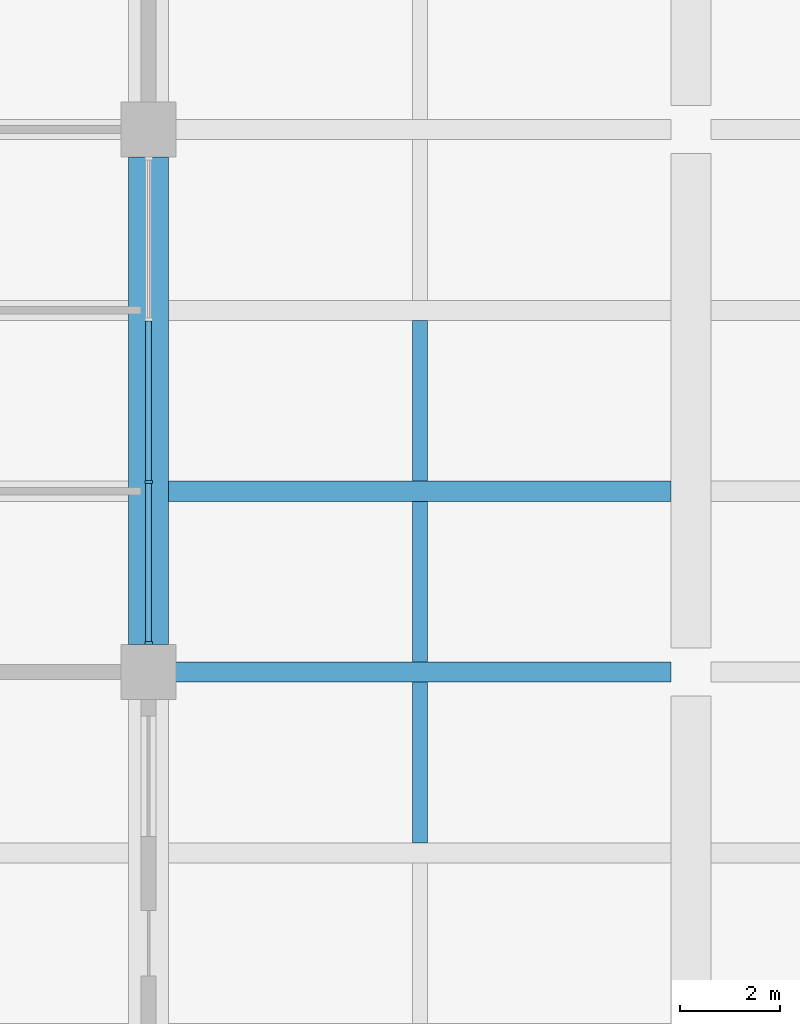
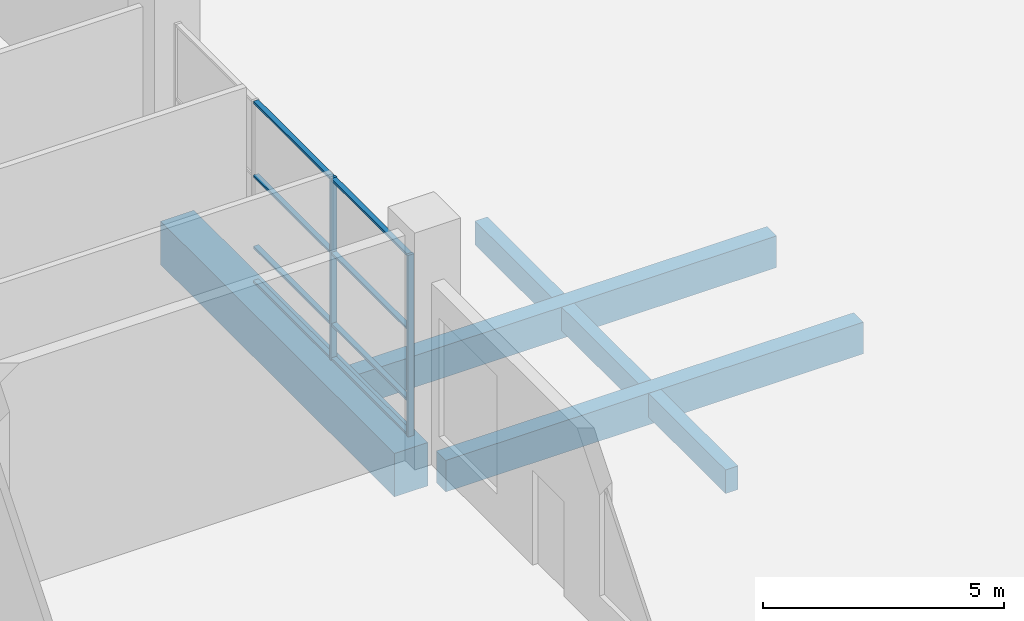
# One storey, part 25 of 71: 10 members, 6 beams, 1 element without a shape of its own.
"""IFC4 building model written with IfcOpenShell, lengths in metres."""

from ifc_helpers import new_model, si_unit, direction, frame, origin, origin_2d, place, context, subcontext, project, spatial, rectangle, extrude, material, layer, layer_set, material_profile, profile_set, type_object, element, aggregate, save


model = new_model("IFC4")

# Units and contexts
model_context = context("Model", 3, precision=1e-05, world=origin(), true_north=direction((0.0, 1.0)))
body_context = subcontext(model_context, "Body", "Model", "MODEL_VIEW")
ifc_project = project(units=[si_unit("LENGTHUNIT", "METRE"), si_unit("AREAUNIT", "SQUARE_METRE"), si_unit("VOLUMEUNIT", "CUBIC_METRE"), si_unit("PLANEANGLEUNIT", "RADIAN"), si_unit("MASSUNIT", "GRAM", prefix="KILO")], contexts=[model_context])

# Site, building, storey
site_placement = place(None, origin())
site = spatial("IfcSite", under=ifc_project, at=site_placement, CompositionType="ELEMENT")
building_placement = place(site_placement, origin())
building = spatial("IfcBuilding", under=site, at=building_placement, Name="Basin Gate Institute", CompositionType="ELEMENT")
storey_placement = place(building_placement, origin())
storey = spatial("IfcBuildingStorey", under=building, at=storey_placement, Name="L00", CompositionType="ELEMENT", Elevation=0.0)

# Beams
ifc_material_1 = material(Name="Concrete 40 MPa", Category="concrete")
ifc_material_profile_1 = material_profile(ifc_material_1, rectangle(XDim=0.39990234375, YDim=0.800048828125, at=origin_2d()), Name="Beam B2 400 x 800")
ifc_profile_set_1 = profile_set([ifc_material_profile_1], Name="Concrete 40 MPa")
beam_type_1 = type_object("IfcBeamType", Name="Beam B2 R180", PredefinedType="BEAM", material=ifc_profile_set_1)
for number, where, z_axis, x_axis, name in (
    (1, (79.60009765625, 78.300048828125, -0.699951171875), (1.0, 0.0, 0.0), (0.0, 1.0, 0.0), "BEAM/L00/CAN/W/13"),
    (2, (79.60009765625, 81.89990234375, -0.699951171875), (1.0, 0.0, 0.0), (0.0, 1.0, 0.0), "BEAM/L00/CAN/W/14"),
):
    element("IfcBeam", number, at=place(storey_placement, frame(where, z_axis=z_axis, x_axis=x_axis)), inside=storey, type_object=beam_type_1, material=ifc_profile_set_1, Name=name, PredefinedType="BEAM", context=body_context, shape_type="SweptSolid", body=[
        extrude(rectangle(XDim=0.39990234375, YDim=0.800048828125, at=origin_2d()), origin(), (0.0, 0.0, 1.0), 10.0),
    ])
ifc_material_2 = material(Name="Concrete 50 MPa", Category="concrete")
ifc_material_profile_2 = material_profile(ifc_material_2, rectangle(XDim=0.800048828125, YDim=1.10009765625, at=origin_2d()), Name="Girder G2 800 x 1100")
ifc_profile_set_2 = profile_set([ifc_material_profile_2], Name="Concrete 50 MPa")
beam_type_2 = type_object("IfcBeamType", Name="Girder G2 R180", PredefinedType="BEAM", material=ifc_profile_set_2)
beam_1_placement = place(storey_placement, frame((79.199951171875, 78.85009765625, -0.85009765625), z_axis=(0.0, 1.0, 0.0), x_axis=(-1.0, 0.0, 0.0)))
element("IfcBeam", 3, at=beam_1_placement, inside=storey, type_object=beam_type_2, material=ifc_profile_set_2, Name="GIR/L00/W6/5", PredefinedType="BEAM", context=body_context, shape_type="SweptSolid", body=[
    extrude(rectangle(XDim=0.800048828125, YDim=1.10009765625, at=origin_2d()), origin(), (0.0, 0.0, 1.0), 9.699951171875),
])

# Curtain wall, members
ifc_material_3 = material(Name="Fire-resistant glazing in steel-free frame", Category="steel")
ifc_layer = layer(ifc_material_3, 0.199951171875)
ifc_layer_set = layer_set([ifc_layer], Name="Fire-resistant glazing in steel-free frame")
curtain_wall_type = type_object("IfcCurtainWallType", Name="Atrium rated curtain wall CW3", PredefinedType="NOTDEFINED", material=ifc_layer_set)
curtain_wall_placement = place(storey_placement, origin())
curtain_wall = element("IfcCurtainWall", 4, at=curtain_wall_placement, inside=storey, type_object=curtain_wall_type, material=ifc_layer_set, Name="Atrium rated curtain wall W wing atrium bay 5 L00", PredefinedType="NOTDEFINED")
ifc_material_4 = material(Name="Aluminium", Category="aluminium")
ifc_material_profile_3 = material_profile(ifc_material_4, rectangle(XDim=0.14990234375, YDim=0.06005859375, at=origin_2d()), Name="Mullion MU3 150 x 60")
ifc_profile_set_3 = profile_set([ifc_material_profile_3], Name="Aluminium")
member_type_1 = type_object("IfcMemberType", Name="Mullion MU3", PredefinedType="MULLION", material=ifc_profile_set_3)
member_1_placement = place(storey_placement, frame((79.199951171875, 78.8798828125, 0.0), z_axis=(0.0, 0.0, 1.0), x_axis=(-1.0, 0.0, 0.0)))
member_1 = element("IfcMember", 5, at=member_1_placement, type_object=member_type_1, material=ifc_profile_set_3, Name="CW3 mullion 1", PredefinedType="MULLION", context=body_context, shape_type="SweptSolid", body=[
    extrude(rectangle(XDim=0.14990234375, YDim=0.06005859375, at=origin_2d()), origin(), (0.0, 0.0, 1.0), 4.60009765625),
])
member_2_placement = place(storey_placement, frame((79.199951171875, 82.083251953125, 0.0), z_axis=(0.0, 0.0, 1.0), x_axis=(-1.0, 0.0, 0.0)))
member_2 = element("IfcMember", 6, at=member_2_placement, type_object=member_type_1, material=ifc_profile_set_3, Name="CW3 mullion 2", PredefinedType="MULLION", context=body_context, shape_type="SweptSolid", body=[
    extrude(rectangle(XDim=0.14990234375, YDim=0.06005859375, at=origin_2d()), origin(), (0.0, 0.0, 1.0), 4.60009765625),
])

# Beams
ifc_material_5 = material(Name="Concrete 40 MPa", Category="concrete")
ifc_material_profile_4 = material_profile(ifc_material_5, rectangle(XDim=0.300048828125, YDim=0.60009765625, at=origin_2d()), Name="Rib R2 300 x 600")
ifc_profile_set_4 = profile_set([ifc_material_profile_4], Name="Concrete 40 MPa")
beam_type_3 = type_object("IfcBeamType", Name="Rib R2 R180", PredefinedType="JOIST", material=ifc_profile_set_4)
beam_2_placement = place(storey_placement, frame((84.60009765625, 74.89990234375, -0.60009765625), z_axis=(0.0, 1.0, 0.0), x_axis=(-1.0, 0.0, 0.0)))
element("IfcBeam", 7, at=beam_2_placement, inside=storey, type_object=beam_type_3, material=ifc_profile_set_4, Name="BEAM/L00/CAN/RIBW/12", PredefinedType="JOIST", context=body_context, shape_type="SweptSolid", body=[
    extrude(rectangle(XDim=0.300048828125, YDim=0.60009765625, at=origin_2d()), origin(), (0.0, 0.0, 1.0), 3.2001953125),
])
for number, where, z_axis, x_axis, name in (
    (8, (84.60009765625, 78.5, -0.60009765625), (0.0, 1.0, 0.0), (-1.0, 0.0, 0.0), "BEAM/L00/CAN/RIBW/13"),
    (9, (84.60009765625, 82.10009765625, -0.60009765625), (0.0, 1.0, 0.0), (-1.0, 0.0, 0.0), "BEAM/L00/CAN/RIBW/14"),
):
    element("IfcBeam", number, at=place(storey_placement, frame(where, z_axis=z_axis, x_axis=x_axis)), inside=storey, type_object=beam_type_3, material=ifc_profile_set_4, Name=name, PredefinedType="JOIST", context=body_context, shape_type="SweptSolid", body=[
        extrude(rectangle(XDim=0.300048828125, YDim=0.60009765625, at=origin_2d()), origin(), (0.0, 0.0, 1.0), 3.199951171875),
    ])

# Member
ifc_material_6 = material(Name="Aluminium", Category="aluminium")
ifc_material_profile_5 = material_profile(ifc_material_6, rectangle(XDim=0.1201171875, YDim=0.06005859375, at=origin_2d()), Name="Transom TR3 120 x 60")
ifc_profile_set_5 = profile_set([ifc_material_profile_5], Name="Aluminium")
member_type_2 = type_object("IfcMemberType", Name="Transom TR3", PredefinedType="USERDEFINED", material=ifc_profile_set_5)
member_3_placement = place(storey_placement, frame((79.199951171875, 78.909912109375, 0.030029296875), z_axis=(0.0, 1.0, 0.0), x_axis=(-1.0, 0.0, 0.0)))
member_3 = element("IfcMember", 10, at=member_3_placement, type_object=member_type_2, material=ifc_profile_set_5, Name="CW3 transom 1.1", ObjectType="TRANSOM", PredefinedType="USERDEFINED", context=body_context, shape_type="SweptSolid", body=[
    extrude(rectangle(XDim=0.1201171875, YDim=0.06005859375, at=origin_2d()), origin(), (0.0, 0.0, 1.0), 3.143310546875),
])

member_4_placement = place(storey_placement, frame((79.199951171875, 78.909912109375, 0.89990234375), z_axis=(0.0, 1.0, 0.0), x_axis=(-1.0, 0.0, 0.0)))
member_4 = element("IfcMember", 11, at=member_4_placement, type_object=member_type_2, material=ifc_profile_set_5, Name="CW3 transom 1.2", ObjectType="TRANSOM", PredefinedType="USERDEFINED", context=body_context, shape_type="SweptSolid", body=[
    extrude(rectangle(XDim=0.1201171875, YDim=0.06005859375, at=origin_2d()), origin(), (0.0, 0.0, 1.0), 3.143310546875),
])

member_5_placement = place(storey_placement, frame((79.199951171875, 78.909912109375, 2.699951171875), z_axis=(0.0, 1.0, 0.0), x_axis=(-1.0, 0.0, 0.0)))
member_5 = element("IfcMember", 12, at=member_5_placement, type_object=member_type_2, material=ifc_profile_set_5, Name="CW3 transom 1.3", ObjectType="TRANSOM", PredefinedType="USERDEFINED", context=body_context, shape_type="SweptSolid", body=[
    extrude(rectangle(XDim=0.1201171875, YDim=0.06005859375, at=origin_2d()), origin(), (0.0, 0.0, 1.0), 3.143310546875),
])

member_6_placement = place(storey_placement, frame((79.199951171875, 78.909912109375, 4.570068359375), z_axis=(0.0, 1.0, 0.0), x_axis=(-1.0, 0.0, 0.0)))
member_6 = element("IfcMember", 13, at=member_6_placement, type_object=member_type_2, material=ifc_profile_set_5, Name="CW3 transom 1.4", ObjectType="TRANSOM", PredefinedType="USERDEFINED", context=body_context, shape_type="SweptSolid", body=[
    extrude(rectangle(XDim=0.1201171875, YDim=0.06005859375, at=origin_2d()), origin(), (0.0, 0.0, 1.0), 3.143310546875),
])

member_7_placement = place(storey_placement, frame((79.199951171875, 82.11328125, 0.030029296875), z_axis=(0.0, 1.0, 0.0), x_axis=(-1.0, 0.0, 0.0)))
member_7 = element("IfcMember", 14, at=member_7_placement, type_object=member_type_2, material=ifc_profile_set_5, Name="CW3 transom 2.1", ObjectType="TRANSOM", PredefinedType="USERDEFINED", context=body_context, shape_type="SweptSolid", body=[
    extrude(rectangle(XDim=0.1201171875, YDim=0.06005859375, at=origin_2d()), origin(), (0.0, 0.0, 1.0), 3.17333984375),
])

member_8_placement = place(storey_placement, frame((79.199951171875, 82.11328125, 0.89990234375), z_axis=(0.0, 1.0, 0.0), x_axis=(-1.0, 0.0, 0.0)))
member_8 = element("IfcMember", 15, at=member_8_placement, type_object=member_type_2, material=ifc_profile_set_5, Name="CW3 transom 2.2", ObjectType="TRANSOM", PredefinedType="USERDEFINED", context=body_context, shape_type="SweptSolid", body=[
    extrude(rectangle(XDim=0.1201171875, YDim=0.06005859375, at=origin_2d()), origin(), (0.0, 0.0, 1.0), 3.17333984375),
])

member_9_placement = place(storey_placement, frame((79.199951171875, 82.11328125, 2.699951171875), z_axis=(0.0, 1.0, 0.0), x_axis=(-1.0, 0.0, 0.0)))
member_9 = element("IfcMember", 16, at=member_9_placement, type_object=member_type_2, material=ifc_profile_set_5, Name="CW3 transom 2.3", ObjectType="TRANSOM", PredefinedType="USERDEFINED", context=body_context, shape_type="SweptSolid", body=[
    extrude(rectangle(XDim=0.1201171875, YDim=0.06005859375, at=origin_2d()), origin(), (0.0, 0.0, 1.0), 3.17333984375),
])

member_10_placement = place(storey_placement, frame((79.199951171875, 82.11328125, 4.570068359375), z_axis=(0.0, 1.0, 0.0), x_axis=(-1.0, 0.0, 0.0)))
member_10 = element("IfcMember", 17, at=member_10_placement, type_object=member_type_2, material=ifc_profile_set_5, Name="CW3 transom 2.4", ObjectType="TRANSOM", PredefinedType="USERDEFINED", context=body_context, shape_type="SweptSolid", body=[
    extrude(rectangle(XDim=0.1201171875, YDim=0.06005859375, at=origin_2d()), origin(), (0.0, 0.0, 1.0), 3.17333984375),
])

aggregate(curtain_wall, [member_1, member_2, member_3, member_4, member_5, member_6, member_7, member_8, member_9, member_10])

save(model, "model.ifc")
